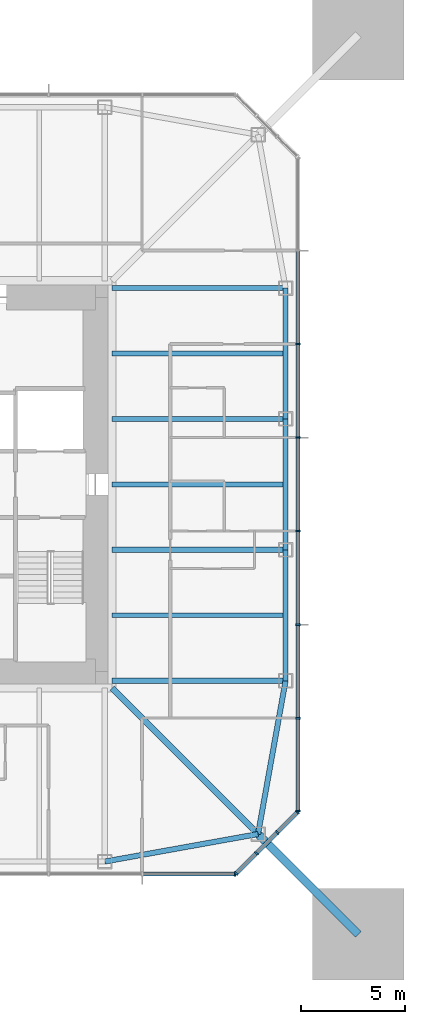
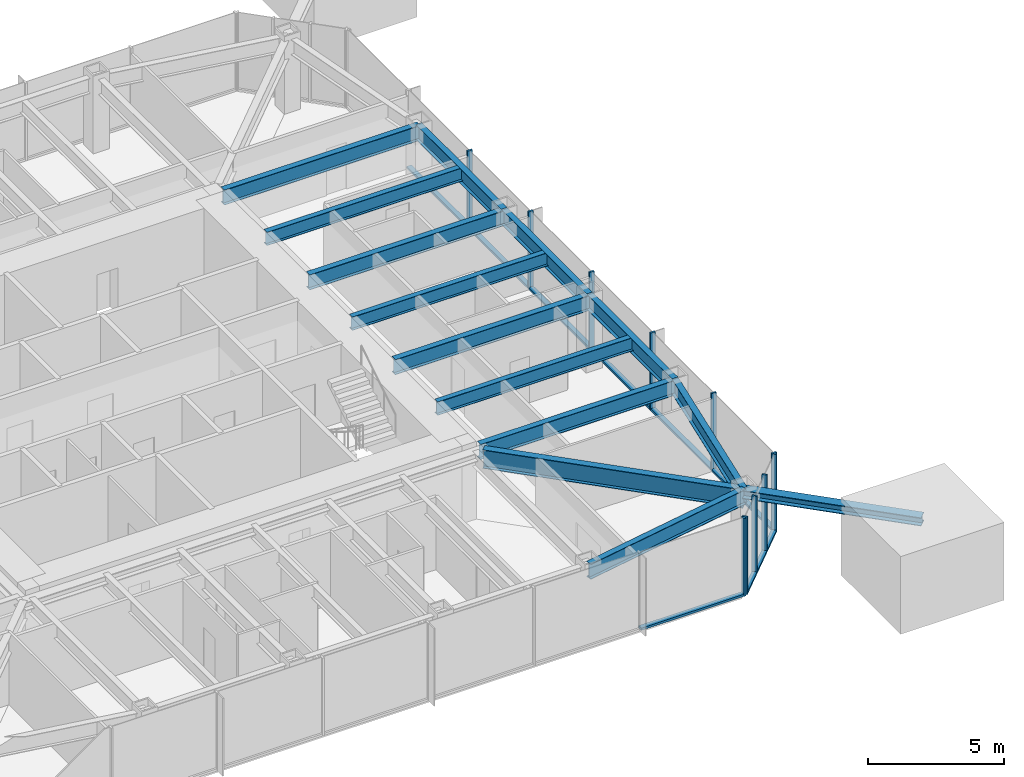
# One storey, part 3 of 11: 22 members, 13 beams, 3 elements without a shape of their own.
"""IFC4 building model written with IfcOpenShell, lengths in metres."""

from ifc_helpers import new_model, si_unit, direction, frame, origin, origin_2d, place, context, subcontext, project, spatial, rectangle, i_section, extrude, material, material_profile, profile_set, type_object, element, aggregate, save


model = new_model("IFC4")

# Units and contexts
model_context = context("Model", 3, precision=1e-05, world=origin(), true_north=direction((0.0, 1.0)))
body_context = subcontext(model_context, "Body", "Model", "MODEL_VIEW")
ifc_project = project(units=[si_unit("LENGTHUNIT", "METRE"), si_unit("AREAUNIT", "SQUARE_METRE"), si_unit("VOLUMEUNIT", "CUBIC_METRE"), si_unit("PLANEANGLEUNIT", "RADIAN"), si_unit("MASSUNIT", "GRAM", prefix="KILO")], contexts=[model_context])

# Site, building, storey
site_placement = place(None, origin())
site = spatial("IfcSite", under=ifc_project, at=site_placement, CompositionType="ELEMENT")
building_placement = place(site_placement, origin())
building = spatial("IfcBuilding", under=site, at=building_placement, Name="Iwan Alto Co-Living Towers", CompositionType="ELEMENT")
storey_placement = place(building_placement, frame((0.0, 0.0, 163.5)))
storey = spatial("IfcBuildingStorey", under=building, at=storey_placement, Name="L44", CompositionType="ELEMENT", Elevation=163.5)

# Curtain wall, member
ifc_material_1 = material(Name="Bronze aluminium unitised frame", Category="aluminium")
curtain_wall_type_1 = type_object("IfcCurtainWallType", Name="CURTAIN WALL CW-A", PredefinedType="NOTDEFINED", material=ifc_material_1)
curtain_wall_1_placement = place(storey_placement, origin())
curtain_wall_1 = element("IfcCurtainWall", 1, at=curtain_wall_1_placement, inside=storey, type_object=curtain_wall_type_1, Name="T1 curtain wall S L44", PredefinedType="NOTDEFINED")
ifc_material_2 = material(Name="Aluminium 6063-T6 bronze anodised", Category="aluminium")
ifc_material_profile_1 = material_profile(ifc_material_2, rectangle(XDim=0.199951171875, YDim=0.080078125, at=origin_2d()), Name="AL 80X200")
ifc_profile_set_1 = profile_set([ifc_material_profile_1], Name="Aluminium 6063-T6 bronze anodised")
member_type_1 = type_object("IfcMemberType", Name="CW-A MULLION 80X200", PredefinedType="MULLION", material=ifc_profile_set_1)
member_1_placement = place(storey_placement, frame((15.7099609375, -18.75, 0.0), z_axis=(0.0, 0.0, 1.0), x_axis=(0.0, 1.0, 0.0)))
member_1 = element("IfcMember", 2, at=member_1_placement, type_object=member_type_1, Name="CW-A mullion 8", PredefinedType="MULLION", context=body_context, shape_type="SweptSolid", body=[
    extrude(rectangle(XDim=0.199951171875, YDim=0.080078125, at=origin_2d()), origin(), (0.0, 0.0, 1.0), 3.5),
])

# Curtain wall, members
curtain_wall_2_placement = place(storey_placement, origin())
curtain_wall_2 = element("IfcCurtainWall", 3, at=curtain_wall_2_placement, inside=storey, type_object=curtain_wall_type_1, Name="T1 curtain wall E L44", PredefinedType="NOTDEFINED")
member_2_placement = place(storey_placement, frame((18.75, -15.7099609375, 0.0), z_axis=(0.0, 0.0, 1.0), x_axis=(-1.0, 0.0, 0.0)))
member_2 = element("IfcMember", 4, at=member_2_placement, type_object=member_type_1, Name="CW-A mullion 1", PredefinedType="MULLION", context=body_context, shape_type="SweptSolid", body=[
    extrude(rectangle(XDim=0.199951171875, YDim=0.080078125, at=origin_2d()), origin(), (0.0, 0.0, 1.0), 3.5),
])
member_3_placement = place(storey_placement, frame((18.75, -11.25, 0.0), z_axis=(0.0, 0.0, 1.0), x_axis=(-1.0, 0.0, 0.0)))
member_3 = element("IfcMember", 5, at=member_3_placement, type_object=member_type_1, Name="CW-A mullion 2", PredefinedType="MULLION", context=body_context, shape_type="SweptSolid", body=[
    extrude(rectangle(XDim=0.199951171875, YDim=0.080078125, at=origin_2d()), origin(), (0.0, 0.0, 1.0), 3.5),
])
member_4_placement = place(storey_placement, frame((18.75, -6.75, 0.0), z_axis=(0.0, 0.0, 1.0), x_axis=(-1.0, 0.0, 0.0)))
member_4 = element("IfcMember", 6, at=member_4_placement, type_object=member_type_1, Name="CW-A mullion 3", PredefinedType="MULLION", context=body_context, shape_type="SweptSolid", body=[
    extrude(rectangle(XDim=0.199951171875, YDim=0.080078125, at=origin_2d()), origin(), (0.0, 0.0, 1.0), 3.5),
])
member_5_placement = place(storey_placement, frame((18.75, -2.25, 0.0), z_axis=(0.0, 0.0, 1.0), x_axis=(-1.0, 0.0, 0.0)))
member_5 = element("IfcMember", 7, at=member_5_placement, type_object=member_type_1, Name="CW-A mullion 4", PredefinedType="MULLION", context=body_context, shape_type="SweptSolid", body=[
    extrude(rectangle(XDim=0.199951171875, YDim=0.080078125, at=origin_2d()), origin(), (0.0, 0.0, 1.0), 3.5),
])
member_6_placement = place(storey_placement, frame((18.75, 2.25, 0.0), z_axis=(0.0, 0.0, 1.0), x_axis=(-1.0, 0.0, 0.0)))
member_6 = element("IfcMember", 8, at=member_6_placement, type_object=member_type_1, Name="CW-A mullion 5", PredefinedType="MULLION", context=body_context, shape_type="SweptSolid", body=[
    extrude(rectangle(XDim=0.199951171875, YDim=0.080078125, at=origin_2d()), origin(), (0.0, 0.0, 1.0), 3.5),
])
member_7_placement = place(storey_placement, frame((18.75, 6.75, 0.0), z_axis=(0.0, 0.0, 1.0), x_axis=(-1.0, 0.0, 0.0)))
member_7 = element("IfcMember", 9, at=member_7_placement, type_object=member_type_1, Name="CW-A mullion 6", PredefinedType="MULLION", context=body_context, shape_type="SweptSolid", body=[
    extrude(rectangle(XDim=0.199951171875, YDim=0.080078125, at=origin_2d()), origin(), (0.0, 0.0, 1.0), 3.5),
])

# Member
ifc_material_3 = material(Name="Aluminium 6063-T6 bronze anodised", Category="aluminium")
ifc_material_profile_2 = material_profile(ifc_material_3, rectangle(XDim=0.199951171875, YDim=0.10009765625, at=origin_2d()), Name="AL 200X100")
ifc_profile_set_2 = profile_set([ifc_material_profile_2], Name="Aluminium 6063-T6 bronze anodised")
member_type_2 = type_object("IfcMemberType", Name="CW-A TRANSOM 200X100", PredefinedType="USERDEFINED", material=ifc_profile_set_2)
member_8_placement = place(storey_placement, frame((11.2900390625, -18.75, 0.050048828125), z_axis=(1.0, 0.0, 0.0), x_axis=(0.0, 1.0, 0.0)))
member_8 = element("IfcMember", 10, at=member_8_placement, type_object=member_type_2, Name="CW-A transom 7.1", ObjectType="TRANSOM", PredefinedType="USERDEFINED", context=body_context, shape_type="SweptSolid", body=[
    extrude(rectangle(XDim=0.199951171875, YDim=0.10009765625, at=origin_2d()), origin(), (0.0, 0.0, 1.0), 4.3798828125),
])

aggregate(curtain_wall_1, [member_1, member_8])

member_9_placement = place(storey_placement, frame((18.75, -15.669921875, 0.050048828125), z_axis=(0.0, 1.0, 0.0), x_axis=(-1.0, 0.0, 0.0)))
member_9 = element("IfcMember", 11, at=member_9_placement, type_object=member_type_2, Name="CW-A transom 1.1", ObjectType="TRANSOM", PredefinedType="USERDEFINED", context=body_context, shape_type="SweptSolid", body=[
    extrude(rectangle(XDim=0.199951171875, YDim=0.10009765625, at=origin_2d()), origin(), (0.0, 0.0, 1.0), 4.3798828125),
])

member_10_placement = place(storey_placement, frame((18.75, -11.2099609375, 0.050048828125), z_axis=(0.0, 1.0, 0.0), x_axis=(-1.0, 0.0, 0.0)))
member_10 = element("IfcMember", 12, at=member_10_placement, type_object=member_type_2, Name="CW-A transom 2.1", ObjectType="TRANSOM", PredefinedType="USERDEFINED", context=body_context, shape_type="SweptSolid", body=[
    extrude(rectangle(XDim=0.199951171875, YDim=0.10009765625, at=origin_2d()), origin(), (0.0, 0.0, 1.0), 4.419921875),
])

member_11_placement = place(storey_placement, frame((18.75, -6.7099609375, 0.050048828125), z_axis=(0.0, 1.0, 0.0), x_axis=(-1.0, 0.0, 0.0)))
member_11 = element("IfcMember", 13, at=member_11_placement, type_object=member_type_2, Name="CW-A transom 3.1", ObjectType="TRANSOM", PredefinedType="USERDEFINED", context=body_context, shape_type="SweptSolid", body=[
    extrude(rectangle(XDim=0.199951171875, YDim=0.10009765625, at=origin_2d()), origin(), (0.0, 0.0, 1.0), 4.419921875),
])

member_12_placement = place(storey_placement, frame((18.75, -2.2099609375, 0.050048828125), z_axis=(0.0, 1.0, 0.0), x_axis=(-1.0, 0.0, 0.0)))
member_12 = element("IfcMember", 14, at=member_12_placement, type_object=member_type_2, Name="CW-A transom 4.1", ObjectType="TRANSOM", PredefinedType="USERDEFINED", context=body_context, shape_type="SweptSolid", body=[
    extrude(rectangle(XDim=0.199951171875, YDim=0.10009765625, at=origin_2d()), origin(), (0.0, 0.0, 1.0), 4.419921875),
])

member_13_placement = place(storey_placement, frame((18.75, 2.2900390625, 0.050048828125), z_axis=(0.0, 1.0, 0.0), x_axis=(-1.0, 0.0, 0.0)))
member_13 = element("IfcMember", 15, at=member_13_placement, type_object=member_type_2, Name="CW-A transom 5.1", ObjectType="TRANSOM", PredefinedType="USERDEFINED", context=body_context, shape_type="SweptSolid", body=[
    extrude(rectangle(XDim=0.199951171875, YDim=0.10009765625, at=origin_2d()), origin(), (0.0, 0.0, 1.0), 4.419921875),
])

member_14_placement = place(storey_placement, frame((18.75, 6.7900390625, 0.050048828125), z_axis=(0.0, 1.0, 0.0), x_axis=(-1.0, 0.0, 0.0)))
member_14 = element("IfcMember", 16, at=member_14_placement, type_object=member_type_2, Name="CW-A transom 6.1", ObjectType="TRANSOM", PredefinedType="USERDEFINED", context=body_context, shape_type="SweptSolid", body=[
    extrude(rectangle(XDim=0.199951171875, YDim=0.10009765625, at=origin_2d()), origin(), (0.0, 0.0, 1.0), 4.419921875),
])

aggregate(curtain_wall_2, [member_2, member_3, member_4, member_5, member_6, member_7, member_9, member_10, member_11, member_12, member_13, member_14])

# Curtain wall, members
ifc_material_4 = material(Name="Bronze aluminium unitised frame", Category="aluminium")
curtain_wall_type_2 = type_object("IfcCurtainWallType", Name="CURTAIN WALL CW-B", PredefinedType="NOTDEFINED", material=ifc_material_4)
curtain_wall_3_placement = place(storey_placement, origin())
curtain_wall_3 = element("IfcCurtainWall", 17, at=curtain_wall_3_placement, inside=storey, type_object=curtain_wall_type_2, Name="T1 chamfer curtain wall SE L44", PredefinedType="NOTDEFINED")
ifc_material_5 = material(Name="Aluminium 6063-T6 bronze anodised", Category="aluminium")
ifc_material_profile_3 = material_profile(ifc_material_5, rectangle(XDim=0.199951171875, YDim=0.080078125, at=origin_2d()), Name="AL 80X200")
ifc_profile_set_3 = profile_set([ifc_material_profile_3], Name="Aluminium 6063-T6 bronze anodised")
member_type_3 = type_object("IfcMemberType", Name="CW-B MULLION 80X200", PredefinedType="MULLION", material=ifc_profile_set_3)
member_15_placement = place(storey_placement, frame((15.7783203125, -18.7216796875, 0.0), z_axis=(0.0, 0.0, 1.0), x_axis=(-0.707106781187, 0.707106781187, 0.0)))
member_15 = element("IfcMember", 18, at=member_15_placement, type_object=member_type_3, Name="CW-B mullion 1", PredefinedType="MULLION", context=body_context, shape_type="SweptSolid", body=[
    extrude(rectangle(XDim=0.199951171875, YDim=0.080078125, at=origin_2d()), origin(), (0.0, 0.0, 1.0), 3.5),
])
member_16_placement = place(storey_placement, frame((16.75, -17.75, 0.0), z_axis=(0.0, 0.0, 1.0), x_axis=(-0.707106781187, 0.707106781187, 0.0)))
member_16 = element("IfcMember", 19, at=member_16_placement, type_object=member_type_3, Name="CW-B mullion 2", PredefinedType="MULLION", context=body_context, shape_type="SweptSolid", body=[
    extrude(rectangle(XDim=0.199951171875, YDim=0.080078125, at=origin_2d()), origin(), (0.0, 0.0, 1.0), 3.5),
])
member_17_placement = place(storey_placement, frame((17.75, -16.75, 0.0), z_axis=(0.0, 0.0, 1.0), x_axis=(-0.707106781187, 0.707106781187, 0.0)))
member_17 = element("IfcMember", 20, at=member_17_placement, type_object=member_type_3, Name="CW-B mullion 3", PredefinedType="MULLION", context=body_context, shape_type="SweptSolid", body=[
    extrude(rectangle(XDim=0.199951171875, YDim=0.080078125, at=origin_2d()), origin(), (0.0, 0.0, 1.0), 3.5),
])
member_18_placement = place(storey_placement, frame((18.7216796875, -15.7783203125, 0.0), z_axis=(0.0, 0.0, 1.0), x_axis=(-0.707106781187, 0.707106781187, 0.0)))
member_18 = element("IfcMember", 21, at=member_18_placement, type_object=member_type_3, Name="CW-B mullion 4", PredefinedType="MULLION", context=body_context, shape_type="SweptSolid", body=[
    extrude(rectangle(XDim=0.199951171875, YDim=0.080078125, at=origin_2d()), origin(), (0.0, 0.0, 1.0), 3.5),
])
ifc_material_6 = material(Name="Aluminium 6063-T6 bronze anodised", Category="aluminium")
ifc_material_profile_4 = material_profile(ifc_material_6, rectangle(XDim=0.199951171875, YDim=0.10009765625, at=origin_2d()), Name="AL 200X100")
ifc_profile_set_4 = profile_set([ifc_material_profile_4], Name="Aluminium 6063-T6 bronze anodised")
member_type_4 = type_object("IfcMemberType", Name="CW-B TRANSOM 200X100", PredefinedType="USERDEFINED", material=ifc_profile_set_4)
member_19_placement = place(storey_placement, frame((15.806640625, -18.693359375, 0.050048828125), z_axis=(0.707106781187, 0.707106781187, 0.0), x_axis=(-0.707106781187, 0.707106781187, 0.0)))
member_19 = element("IfcMember", 22, at=member_19_placement, type_object=member_type_4, Name="CW-B transom 1.1", ObjectType="TRANSOM", PredefinedType="USERDEFINED", context=body_context, shape_type="SweptSolid", body=[
    extrude(rectangle(XDim=0.199951171875, YDim=0.10009765625, at=origin_2d()), origin(), (0.0, 0.0, 1.0), 1.2939453125),
])
member_20_placement = place(storey_placement, frame((16.7783203125, -17.7216796875, 0.050048828125), z_axis=(0.707106781187, 0.707106781187, 0.0), x_axis=(-0.707106781187, 0.707106781187, 0.0)))
member_20 = element("IfcMember", 23, at=member_20_placement, type_object=member_type_4, Name="CW-B transom 2.1", ObjectType="TRANSOM", PredefinedType="USERDEFINED", context=body_context, shape_type="SweptSolid", body=[
    extrude(rectangle(XDim=0.199951171875, YDim=0.10009765625, at=origin_2d()), origin(), (0.0, 0.0, 1.0), 1.334228515625),
])
member_21_placement = place(storey_placement, frame((17.7783203125, -16.7216796875, 0.050048828125), z_axis=(0.707106781187, 0.707106781187, 0.0), x_axis=(-0.707106781187, 0.707106781187, 0.0)))
member_21 = element("IfcMember", 24, at=member_21_placement, type_object=member_type_4, Name="CW-B transom 3.1", ObjectType="TRANSOM", PredefinedType="USERDEFINED", context=body_context, shape_type="SweptSolid", body=[
    extrude(rectangle(XDim=0.199951171875, YDim=0.10009765625, at=origin_2d()), origin(), (0.0, 0.0, 1.0), 1.2939453125),
])
aggregate(curtain_wall_3, [member_15, member_16, member_17, member_18, member_19, member_20, member_21])

# Beams
ifc_material_7 = material(Name="Steel ASTM A992 Gr 50", Category="steel")
ifc_material_profile_5 = material_profile(ifc_material_7, i_section(OverallWidth=0.2919921875, OverallDepth=0.8408203125, WebThickness=0.0146484375, FlangeThickness=0.021728515625, at=origin_2d()), Name="W33X130")
ifc_profile_set_5 = profile_set([ifc_material_profile_5], Name="Steel ASTM A992 Gr 50")
beam_type_1 = type_object("IfcBeamType", Name="T1 CORNER GIRDER W33X130", PredefinedType="BEAM", material=ifc_profile_set_5)
beam_1_placement = place(storey_placement, frame((16.82568359375, -16.82568359375, 2.849609375), z_axis=(-0.707106781187, 0.707106781187, 0.0), x_axis=(-0.707106781187, -0.707106781187, 0.0)))
element("IfcBeam", 25, at=beam_1_placement, inside=storey, type_object=beam_type_1, Name="T1 corner girder CSE L45", PredefinedType="BEAM", context=body_context, shape_type="SweptSolid", body=[
    extrude(i_section(OverallWidth=0.2919921875, OverallDepth=0.8408203125, WebThickness=0.0146484375, FlangeThickness=0.021728515625, at=origin_2d()), origin(), (0.0, 0.0, 1.0), 9.936767578125),
])
ifc_material_8 = material(Name="Steel ASTM A992 Gr 50", Category="steel")
ifc_material_profile_6 = material_profile(ifc_material_8, i_section(OverallWidth=0.25390625, OverallDepth=0.683349609375, WebThickness=0.012451171875, FlangeThickness=0.018798828125, at=origin_2d()), Name="W27X94")
ifc_profile_set_6 = profile_set([ifc_material_profile_6], Name="Steel ASTM A992 Gr 50")
beam_type_2 = type_object("IfcBeamType", Name="T1 EDGE BEAM W27X94", PredefinedType="BEAM", material=ifc_profile_set_6)
for number, where, z_axis, x_axis, name in (
    (26, (9.449951171875, -18.14990234375, 2.928466796875), (0.98426263553, 0.17671181143, 0.0), (-0.17671181143, 0.98426263553, 0.0), "T1 edge beam S4 L45"),
    (27, (16.82568359375, -16.82568359375, 2.928466796875), (0.17671181143, 0.98426263553, 0.0), (-0.98426263553, 0.17671181143, 0.0), "T1 edge beam CSE L45"),
):
    element("IfcBeam", number, at=place(storey_placement, frame(where, z_axis=z_axis, x_axis=x_axis)), inside=storey, type_object=beam_type_2, Name=name, PredefinedType="BEAM", context=body_context, shape_type="SweptSolid", body=[
        extrude(i_section(OverallWidth=0.25390625, OverallDepth=0.683349609375, WebThickness=0.012451171875, FlangeThickness=0.018798828125, at=origin_2d()), origin(), (0.0, 0.0, 1.0), 7.49365234375),
    ])
beam_2_placement = place(storey_placement, frame((18.14990234375, -9.449951171875, 2.928466796875), z_axis=(0.0, 1.0, 0.0), x_axis=(-1.0, 0.0, 0.0)))
element("IfcBeam", 28, at=beam_2_placement, inside=storey, type_object=beam_type_2, Name="T1 edge beam E1 L45", PredefinedType="BEAM", context=body_context, shape_type="SweptSolid", body=[
    extrude(i_section(OverallWidth=0.25390625, OverallDepth=0.683349609375, WebThickness=0.012451171875, FlangeThickness=0.018798828125, at=origin_2d()), origin(), (0.0, 0.0, 1.0), 6.300048828125),
])
beam_3_placement = place(storey_placement, frame((18.14990234375, -3.14990234375, 2.928466796875), z_axis=(0.0, 1.0, 0.0), x_axis=(-1.0, 0.0, 0.0)))
element("IfcBeam", 29, at=beam_3_placement, inside=storey, type_object=beam_type_2, Name="T1 edge beam E2 L45", PredefinedType="BEAM", context=body_context, shape_type="SweptSolid", body=[
    extrude(i_section(OverallWidth=0.25390625, OverallDepth=0.683349609375, WebThickness=0.012451171875, FlangeThickness=0.018798828125, at=origin_2d()), origin(), (0.0, 0.0, 1.0), 6.2998046875),
])
beam_4_placement = place(storey_placement, frame((18.14990234375, 3.14990234375, 2.928466796875), z_axis=(0.0, 1.0, 0.0), x_axis=(-1.0, 0.0, 0.0)))
element("IfcBeam", 30, at=beam_4_placement, inside=storey, type_object=beam_type_2, Name="T1 edge beam E3 L45", PredefinedType="BEAM", context=body_context, shape_type="SweptSolid", body=[
    extrude(i_section(OverallWidth=0.25390625, OverallDepth=0.683349609375, WebThickness=0.012451171875, FlangeThickness=0.018798828125, at=origin_2d()), origin(), (0.0, 0.0, 1.0), 6.300048828125),
])

# Member
ifc_material_9 = material(Name="Steel ASTM A992 Gr 50", Category="steel")
ifc_material_profile_7 = material_profile(ifc_material_9, i_section(OverallWidth=0.393798828125, OverallDepth=0.3759765625, WebThickness=0.017333984375, FlangeThickness=0.027587890625, at=origin_2d()), Name="W14X145")
ifc_profile_set_7 = profile_set([ifc_material_profile_7], Name="Steel ASTM A992 Gr 50")
member_type_5 = type_object("IfcMemberType", Name="T1 MEGA COLUMN FLOOR TIE W14X145", PredefinedType="STRUT", material=ifc_profile_set_7)
member_22_placement = place(storey_placement, frame((21.64990234375, -21.64990234375, 3.08203125), z_axis=(-0.707106781187, 0.707106781187, 0.0), x_axis=(-0.707106781187, -0.707106781187, 0.0)))
element("IfcMember", 31, at=member_22_placement, inside=storey, type_object=member_type_5, Name="T1 mega column floor tie SE L45", PredefinedType="STRUT", context=body_context, shape_type="SweptSolid", body=[
    extrude(i_section(OverallWidth=0.393798828125, OverallDepth=0.3759765625, WebThickness=0.017333984375, FlangeThickness=0.027587890625, at=origin_2d()), origin(), (0.0, 0.0, 1.0), 6.822509765625),
])

# Beams
ifc_material_10 = material(Name="Steel ASTM A992 Gr 50", Category="steel")
ifc_material_profile_8 = material_profile(ifc_material_10, i_section(OverallWidth=0.25390625, OverallDepth=0.683349609375, WebThickness=0.012451171875, FlangeThickness=0.018798828125, at=origin_2d()), Name="W27X94")
ifc_profile_set_8 = profile_set([ifc_material_profile_8], Name="Steel ASTM A992 Gr 50")
beam_type_3 = type_object("IfcBeamType", Name="T1 RADIAL BEAM W27X94", PredefinedType="BEAM", material=ifc_profile_set_8)
for number, where, z_axis, x_axis, name in (
    (32, (18.14990234375, -9.449951171875, 2.928466796875), (-1.0, 0.0, 0.0), (0.0, -1.0, 0.0), "T1 radial beam E1 L45"),
    (33, (18.14990234375, -3.14990234375, 2.928466796875), (-1.0, 0.0, 0.0), (0.0, -1.0, 0.0), "T1 radial beam E2 L45"),
    (34, (18.14990234375, 3.14990234375, 2.928466796875), (-1.0, 0.0, 0.0), (0.0, -1.0, 0.0), "T1 radial beam E3 L45"),
    (35, (18.14990234375, 9.449951171875, 2.928466796875), (-1.0, 0.0, 0.0), (0.0, -1.0, 0.0), "T1 radial beam E4 L45"),
):
    element("IfcBeam", number, at=place(storey_placement, frame(where, z_axis=z_axis, x_axis=x_axis)), inside=storey, type_object=beam_type_3, Name=name, PredefinedType="BEAM", context=body_context, shape_type="SweptSolid", body=[
        extrude(i_section(OverallWidth=0.25390625, OverallDepth=0.683349609375, WebThickness=0.012451171875, FlangeThickness=0.018798828125, at=origin_2d()), origin(), (0.0, 0.0, 1.0), 8.3505859375),
    ])
ifc_material_11 = material(Name="Steel ASTM A992 Gr 50", Category="steel")
ifc_material_profile_9 = material_profile(ifc_material_11, i_section(OverallWidth=0.228271484375, OverallDepth=0.607177734375, WebThickness=0.01123046875, FlangeThickness=0.017333984375, at=origin_2d()), Name="W24X76")
ifc_profile_set_9 = profile_set([ifc_material_profile_9], Name="Steel ASTM A992 Gr 50")
beam_type_4 = type_object("IfcBeamType", Name="T1 SECONDARY BEAM W24X76", PredefinedType="JOIST", material=ifc_profile_set_9)
for number, where, z_axis, x_axis, name in (
    (36, (18.14990234375, -6.300048828125, 2.966552734375), (-1.0, 0.0, 0.0), (0.0, -1.0, 0.0), "T1 secondary beam E1 L45"),
    (37, (18.14990234375, 0.0, 2.966552734375), (-1.0, 0.0, 0.0), (0.0, -1.0, 0.0), "T1 secondary beam E2 L45"),
    (38, (18.14990234375, 6.300048828125, 2.966552734375), (-1.0, 0.0, 0.0), (0.0, -1.0, 0.0), "T1 secondary beam E3 L45"),
):
    element("IfcBeam", number, at=place(storey_placement, frame(where, z_axis=z_axis, x_axis=x_axis)), inside=storey, type_object=beam_type_4, Name=name, PredefinedType="JOIST", context=body_context, shape_type="SweptSolid", body=[
        extrude(i_section(OverallWidth=0.228271484375, OverallDepth=0.607177734375, WebThickness=0.01123046875, FlangeThickness=0.017333984375, at=origin_2d()), origin(), (0.0, 0.0, 1.0), 8.3505859375),
    ])

save(model, "model.ifc")
